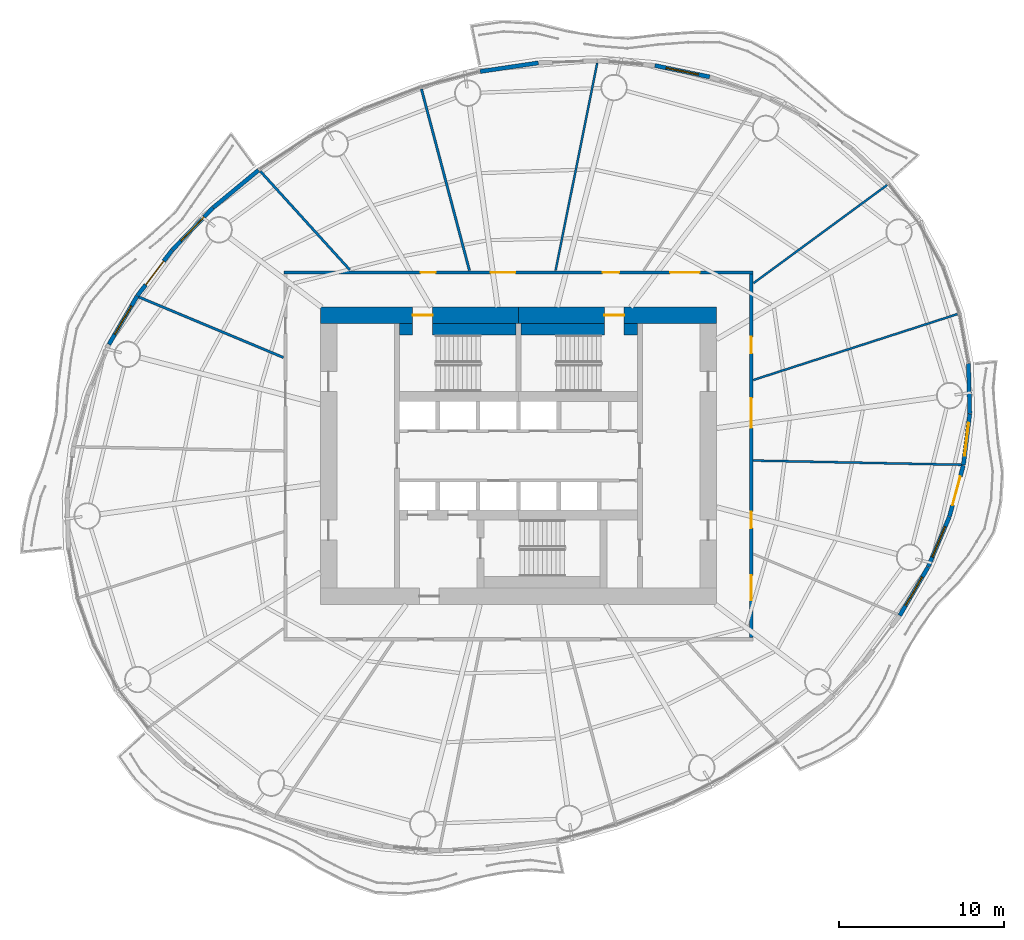
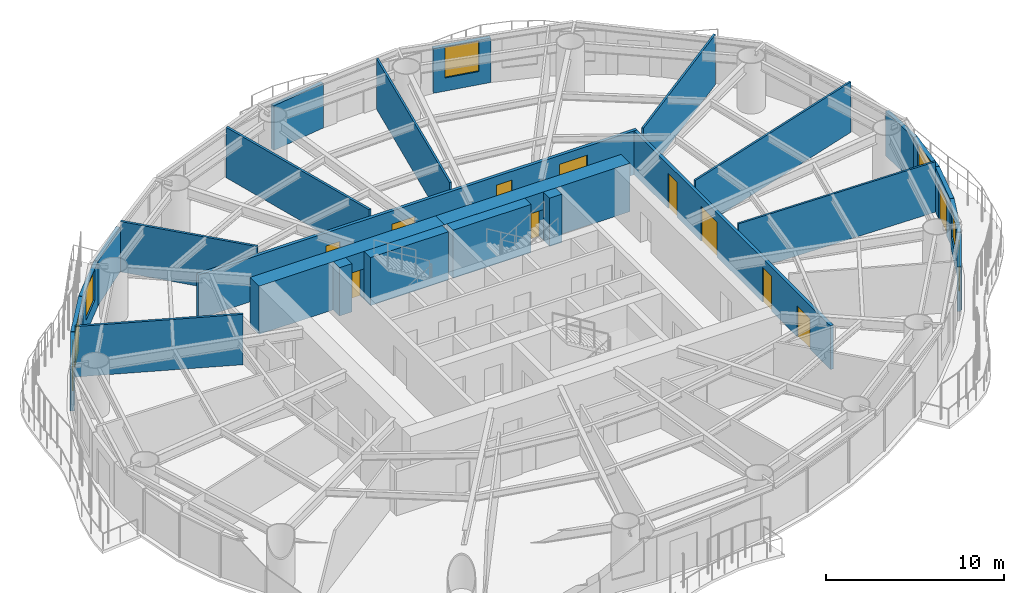
# One storey, part 9 of 15: 26 walls, 12 doors, 6 windows, 18 openings.
"""IFC4 building model written with IfcOpenShell, lengths in metres."""

from ifc_helpers import new_model, si_unit, direction, frame, frame_2d, origin, place, context, subcontext, project, spatial, rectangle, extrude, material, layer, layer_set, type_object, element, fill, save


model = new_model("IFC4")

# Units and contexts
model_context = context("Model", 3, precision=1e-05, world=origin(), true_north=direction((0.0, 1.0)))
body_context = subcontext(model_context, "Body", "Model", "MODEL_VIEW")
ifc_project = project(units=[si_unit("LENGTHUNIT", "METRE"), si_unit("AREAUNIT", "SQUARE_METRE"), si_unit("VOLUMEUNIT", "CUBIC_METRE"), si_unit("PLANEANGLEUNIT", "RADIAN"), si_unit("MASSUNIT", "GRAM", prefix="KILO")], contexts=[model_context])

# Site, building, storey
site_placement = place(None, origin())
site = spatial("IfcSite", under=ifc_project, at=site_placement, CompositionType="ELEMENT")
building_placement = place(site_placement, origin())
building = spatial("IfcBuilding", under=site, at=building_placement, Name="Vermilion Reach Broadcast Tower", CompositionType="ELEMENT")
storey_placement = place(building_placement, frame((0.0, 0.0, 128.199951171875)))
storey = spatial("IfcBuildingStorey", under=building, at=storey_placement, Name="L30", CompositionType="ELEMENT", Elevation=128.199951171875)

# Wall, opening, door
ifc_material_1 = material(Name="Concrete C70", Category="concrete")
ifc_layer_1 = layer(ifc_material_1, 1.0)
ifc_layer_set_1 = layer_set([ifc_layer_1], Name="Core outer wall 1000 mm Concrete C70")
wall_type_1 = type_object("IfcWallType", Name="Core outer wall 1000 mm Concrete C70", PredefinedType="SHEAR", material=ifc_layer_set_1)
wall_1_placement = place(storey_placement, frame((6.0, 8.5, 0.0), z_axis=(0.0, 0.0, 1.0), x_axis=(-1.0, 0.0, 0.0)))
wall_1 = element("IfcWall", 1, at=wall_1_placement, inside=storey, type_object=wall_type_1, Name="L30 core wall onE", PredefinedType="SHEAR", context=body_context, shape_type="SweptSolid", body=[
    extrude(rectangle(XDim=12.0, YDim=1.0, at=frame_2d((6.0, 0.0))), origin(), (0.0, 0.0, 1.0), 3.300048828125),
])
opening_1_placement = place(wall_1_placement, frame((5.60009765625, 0.0, 0.0)))
opening_1 = element("IfcOpeningElement", 2, at=opening_1_placement, cuts=wall_1, Name="Opening D01", PredefinedType="OPENING", context=body_context, shape_type="SweptSolid", body=[
    extrude(rectangle(XDim=1.199951171875, YDim=2.10009765625, at=frame_2d((0.60009765625, 1.050048828125))), frame((0.0, 0.510009765625, 0.0), z_axis=(0.0, -1.0, 0.0), x_axis=(1.0, 0.0, 0.0)), (0.0, 0.0, 1.0), 1.02001953125),
])
ifc_material_2 = material(Name="Painted steel fire door", Category="steel")
door_type_1 = type_object("IfcDoorType", Name="Stair door 1200 x 2100", OperationType="DOUBLE_DOOR_SINGLE_SWING", PredefinedType="NOTDEFINED", material=ifc_material_2)
door_1_placement = place(opening_1_placement, origin())
door_1 = element("IfcDoor", 3, at=door_1_placement, inside=storey, type_object=door_type_1, Name="L30 stair door ST2", OperationType="DOUBLE_DOOR_SINGLE_SWING", OverallHeight=2.10009765625, OverallWidth=1.199951171875, PredefinedType="NOTDEFINED", context=body_context, shape_type="SweptSolid", body=[
    extrude(rectangle(XDim=1.199951171875, YDim=2.10009765625, at=frame_2d((0.60009765625, 1.050048828125))), frame((0.0, 0.02490234375, 0.0), z_axis=(0.0, -1.0, 0.0), x_axis=(1.0, 0.0, 0.0)), (0.0, 0.0, 1.0), 0.050048828125),
])
fill(opening_1, door_1)

wall_2_placement = place(storey_placement, frame((-6.0, 8.5, 0.0), z_axis=(0.0, 0.0, 1.0), x_axis=(-1.0, 0.0, 0.0)))
wall_2 = element("IfcWall", 4, at=wall_2_placement, inside=storey, type_object=wall_type_1, Name="L30 core wall onW", PredefinedType="SHEAR", context=body_context, shape_type="SweptSolid", body=[
    extrude(rectangle(XDim=12.0, YDim=1.0, at=frame_2d((6.0, 0.0))), origin(), (0.0, 0.0, 1.0), 3.300048828125),
])
opening_2_placement = place(wall_2_placement, frame((5.199951171875, 0.0, 0.0)))
opening_2 = element("IfcOpeningElement", 5, at=opening_2_placement, cuts=wall_2, Name="Opening D01", PredefinedType="OPENING", context=body_context, shape_type="SweptSolid", body=[
    extrude(rectangle(XDim=1.199951171875, YDim=2.10009765625, at=frame_2d((0.60009765625, 1.050048828125))), frame((0.0, 0.510009765625, 0.0), z_axis=(0.0, -1.0, 0.0), x_axis=(1.0, 0.0, 0.0)), (0.0, 0.0, 1.0), 1.02001953125),
])
door_2_placement = place(opening_2_placement, origin())
door_2 = element("IfcDoor", 6, at=door_2_placement, inside=storey, type_object=door_type_1, Name="L30 stair door ST1", OperationType="DOUBLE_DOOR_SINGLE_SWING", OverallHeight=2.10009765625, OverallWidth=1.199951171875, PredefinedType="NOTDEFINED", context=body_context, shape_type="SweptSolid", body=[
    extrude(rectangle(XDim=1.199951171875, YDim=2.10009765625, at=frame_2d((0.60009765625, 1.050048828125))), frame((0.0, 0.02490234375, 0.0), z_axis=(0.0, -1.0, 0.0), x_axis=(1.0, 0.0, 0.0)), (0.0, 0.0, 1.0), 0.050048828125),
])
fill(opening_2, door_2)

# Walls
ifc_material_3 = material(Name="Concrete C70", Category="concrete")
ifc_layer_2 = layer(ifc_material_3, 0.699951171875)
ifc_layer_set_2 = layer_set([ifc_layer_2], Name="Core stair wall 700 mm Concrete C70")
wall_type_2 = type_object("IfcWallType", Name="Core stair wall 700 mm Concrete C70", PredefinedType="SHEAR", material=ifc_layer_set_2)
wall_3_placement = place(storey_placement, frame((-13.199951171875, 7.64990234375, 0.0), z_axis=(0.0, 0.0, 1.0), x_axis=(1.0, 0.0, 0.0)))
element("IfcWall", 7, at=wall_3_placement, inside=storey, type_object=wall_type_2, Name="L30 core wall l1a", PredefinedType="SHEAR", context=body_context, shape_type="SweptSolid", body=[
    extrude(rectangle(XDim=0.800048828125, YDim=0.699951171875, at=frame_2d((0.39990234375, 0.0))), origin(), (0.0, 0.0, 1.0), 3.300048828125),
])
for number, where, z_axis, x_axis, name in (
    (8, (-11.199951171875, 7.64990234375, 0.0), (0.0, 0.0, 1.0), (1.0, 0.0, 0.0), "L30 core wall l1b"),
    (9, (-5.85009765625, 7.64990234375, 0.0), (0.0, 0.0, 1.0), (1.0, 0.0, 0.0), "L30 core wall l2a"),
):
    element("IfcWall", number, at=place(storey_placement, frame(where, z_axis=z_axis, x_axis=x_axis)), inside=storey, type_object=wall_type_2, Name=name, PredefinedType="SHEAR", context=body_context, shape_type="SweptSolid", body=[
        extrude(rectangle(XDim=5.050048828125, YDim=0.699951171875, at=frame_2d((2.52490234375, 0.0))), origin(), (0.0, 0.0, 1.0), 3.300048828125),
    ])
wall_4_placement = place(storey_placement, frame((0.39990234375, 7.64990234375, 0.0), z_axis=(0.0, 0.0, 1.0), x_axis=(1.0, 0.0, 0.0)))
element("IfcWall", 10, at=wall_4_placement, inside=storey, type_object=wall_type_2, Name="L30 core wall l2b", PredefinedType="SHEAR", context=body_context, shape_type="SweptSolid", body=[
    extrude(rectangle(XDim=0.800048828125, YDim=0.699951171875, at=frame_2d((0.39990234375, 0.0))), origin(), (0.0, 0.0, 1.0), 3.300048828125),
])
ifc_material_4 = material(Name="Fire-rated plasterboard on steel stud", Category="steel")
ifc_layer_3 = layer(ifc_material_4, 0.125)
ifc_layer_set_3 = layer_set([ifc_layer_3], Name="Partition 125 fire-rated stud")
wall_type_3 = type_object("IfcWallType", Name="Partition 125 fire-rated stud", PredefinedType="PARTITIONING", material=ifc_layer_set_3)
wall_5_placement = place(storey_placement, frame((16.321044921875, 16.394287109375, 0.0), z_axis=(0.0, 0.0, 1.0), x_axis=(-0.805953622815, -0.591978680251, 0.0)))
element("IfcWall", 11, at=wall_5_placement, inside=storey, type_object=wall_type_3, Name="Partition 30.01", PredefinedType="PARTITIONING", context=body_context, shape_type="SweptSolid", body=[
    extrude(rectangle(XDim=10.0302734375, YDim=0.125, at=frame_2d((5.01513671875, 0.0))), origin(), (0.0, 0.0, 1.0), 3.449951171875),
])
wall_6_placement = place(storey_placement, frame((-1.2294921875, 23.7900390625, 0.0), z_axis=(0.0, 0.0, 1.0), x_axis=(-0.196617524225, -0.980480264548, 0.0)))
element("IfcWall", 12, at=wall_6_placement, inside=storey, type_object=wall_type_3, Name="Partition 30.03", PredefinedType="PARTITIONING", context=body_context, shape_type="SweptSolid", body=[
    extrude(rectangle(XDim=12.828125, YDim=0.125, at=frame_2d((6.4140625, 0.0))), origin(), (0.0, 0.0, 1.0), 3.449951171875),
])
wall_7_placement = place(storey_placement, frame((20.8154296875, -0.544677734375, 0.0), z_axis=(0.0, 0.0, 1.0), x_axis=(-0.999793963842, 0.020298518775, 0.0)))
element("IfcWall", 13, at=wall_7_placement, inside=storey, type_object=wall_type_3, Name="Partition 30.15", PredefinedType="PARTITIONING", context=body_context, shape_type="SweptSolid", body=[
    extrude(rectangle(XDim=12.616943359375, YDim=0.125, at=frame_2d((6.30859375, 0.0))), origin(), (0.0, 0.0, 1.0), 3.449951171875),
])
wall_8_placement = place(storey_placement, frame((20.578125, 8.578369140625, 0.0), z_axis=(0.0, 0.0, 1.0), x_axis=(-0.951657398176, -0.307161515325, 0.0)))
element("IfcWall", 14, at=wall_8_placement, inside=storey, type_object=wall_type_3, Name="Partition 30.16", PredefinedType="PARTITIONING", context=body_context, shape_type="SweptSolid", body=[
    extrude(rectangle(XDim=12.98681640625, YDim=0.125, at=frame_2d((6.493408203125, 0.0))), origin(), (0.0, 0.0, 1.0), 3.449951171875),
])
ifc_material_5 = material(Name="Lightweight concrete block, plastered", Category="concrete")
ifc_layer_4 = layer(ifc_material_5, 0.14990234375)
ifc_layer_set_4 = layer_set([ifc_layer_4], Name="Partition 150 lightweight block")
wall_type_4 = type_object("IfcWallType", Name="Partition 150 lightweight block", PredefinedType="PARTITIONING", material=ifc_layer_set_4)
wall_9_placement = place(storey_placement, frame((-11.874755859375, 22.207275390625, 0.0), z_axis=(0.0, 0.0, 1.0), x_axis=(0.255739645258, -0.966745692436, 0.0)))
element("IfcWall", 15, at=wall_9_placement, inside=storey, type_object=wall_type_4, Name="Partition 30.04", PredefinedType="PARTITIONING", context=body_context, shape_type="SweptSolid", body=[
    extrude(rectangle(XDim=11.365966796875, YDim=0.14990234375, at=frame_2d((5.68310546875, 0.0))), origin(), (0.0, 0.0, 1.0), 3.449951171875),
])
wall_10_placement = place(storey_placement, frame((-21.6240234375, 17.223876953125, 0.0), z_axis=(0.0, 0.0, 1.0), x_axis=(0.671881371933, -0.740658775719, 0.0)))
element("IfcWall", 16, at=wall_10_placement, inside=storey, type_object=wall_type_4, Name="Partition 30.05", PredefinedType="PARTITIONING", context=body_context, shape_type="SweptSolid", body=[
    extrude(rectangle(XDim=8.06494140625, YDim=0.14990234375, at=frame_2d((4.032470703125, 0.0))), origin(), (0.0, 0.0, 1.0), 3.449951171875),
])
wall_11_placement = place(storey_placement, frame((-28.977294921875, 9.609375, 0.0), z_axis=(0.0, 0.0, 1.0), x_axis=(0.922568046732, -0.385834419343, 0.0)))
element("IfcWall", 17, at=wall_11_placement, inside=storey, type_object=wall_type_4, Name="Partition 30.06", PredefinedType="PARTITIONING", context=body_context, shape_type="SweptSolid", body=[
    extrude(rectangle(XDim=9.482421875, YDim=0.14990234375, at=frame_2d((4.7412109375, 0.0))), origin(), (0.0, 0.0, 1.0), 3.449951171875),
])

# Wall, opening, window
ifc_material_6 = material(Name="Terracotta rainscreen cladding", Category="masonry")
ifc_layer_5 = layer(ifc_material_6, 0.25)
ifc_layer_set_5 = layer_set([ifc_layer_5], Name="Terracotta rainscreen wall 250")
wall_type_5 = type_object("IfcWallType", Name="Terracotta rainscreen wall 250", PredefinedType="SOLIDWALL", material=ifc_layer_set_5)
wall_12_placement = place(storey_placement, frame((5.574462890625, 22.940673828125, 0.0), z_axis=(0.0, 0.0, 1.0), x_axis=(-0.979211003926, 0.202844299376, 0.0)))
wall_12 = element("IfcWall", 18, at=wall_12_placement, inside=storey, type_object=wall_type_5, Name="External wall L30 06", PredefinedType="SOLIDWALL", context=body_context, shape_type="SweptSolid", body=[
    extrude(rectangle(XDim=3.382080078125, YDim=0.25, at=frame_2d((1.69091796875, 0.0))), origin(), (0.0, 0.0, 1.0), 3.050048828125),
])
opening_3_placement = place(wall_12_placement, frame((0.691162109375, 0.0, 0.89990234375)))
opening_3 = element("IfcOpeningElement", 19, at=opening_3_placement, cuts=wall_12, Name="Opening W03", PredefinedType="OPENING", context=body_context, shape_type="SweptSolid", body=[
    extrude(rectangle(XDim=2.0, YDim=2.10009765625, at=frame_2d((1.0, 1.050048828125))), frame((0.0, 0.135009765625, 0.0), z_axis=(0.0, -1.0, 0.0), x_axis=(1.0, 0.0, 0.0)), (0.0, 0.0, 1.0), 0.27001953125),
])
ifc_material_7 = material(Name="Low-e laminated clear glass in aluminium frame", Category="aluminium")
window_type = type_object("IfcWindowType", Name="Punched window 2000 x 2100 sill 900", PartitioningType="SINGLE_PANEL", PredefinedType="WINDOW", material=ifc_material_7)
window_1_placement = place(opening_3_placement, origin())
window_1 = element("IfcWindow", 20, at=window_1_placement, inside=storey, type_object=window_type, Name="Window L30 06", OverallHeight=2.10009765625, OverallWidth=2.0, PartitioningType="SINGLE_PANEL", PredefinedType="WINDOW", context=body_context, shape_type="SweptSolid", body=[
    extrude(rectangle(XDim=2.0, YDim=2.10009765625, at=frame_2d((1.0, 1.050048828125))), frame((0.0, 0.030029296875, 0.0), z_axis=(0.0, -1.0, 0.0), x_axis=(1.0, 0.0, 0.0)), (0.0, 0.0, 1.0), 0.06005859375),
])
fill(opening_3, window_1)

# Walls
for number, where, z_axis, x_axis, name in (
    (21, (-4.798583984375, 23.789306640625, 0.0), (0.0, 0.0, 1.0), (-0.989128877897, -0.147051225462, 0.0), "External wall L30 09"),
    (22, (-21.740478515625, 17.28955078125, 0.0), (0.0, 0.0, 1.0), (-0.771117086356, -0.636693363503, 0.0), "External wall L30 14"),
):
    element("IfcWall", number, at=place(storey_placement, frame(where, z_axis=z_axis, x_axis=x_axis)), inside=storey, type_object=wall_type_5, Name=name, PredefinedType="SOLIDWALL", context=body_context, shape_type="SweptSolid", body=[
        extrude(rectangle(XDim=3.55615234375, YDim=0.25, at=frame_2d((1.778076171875, 0.0))), origin(), (0.0, 0.0, 1.0), 3.050048828125),
    ])

# Wall, opening, window
wall_13_placement = place(storey_placement, frame((-24.4990234375, 15.010498046875, 0.0), z_axis=(0.0, 0.0, 1.0), x_axis=(-0.69458713087, -0.719408588793, 0.0)))
wall_13 = element("IfcWall", 23, at=wall_13_placement, inside=storey, type_object=wall_type_5, Name="External wall L30 15", PredefinedType="SOLIDWALL", context=body_context, shape_type="SweptSolid", body=[
    extrude(rectangle(XDim=3.541015625, YDim=0.25, at=frame_2d((1.7705078125, 0.0))), origin(), (0.0, 0.0, 1.0), 3.050048828125),
])
opening_4_placement = place(wall_13_placement, frame((0.7705078125, 0.0, 0.89990234375)))
opening_4 = element("IfcOpeningElement", 24, at=opening_4_placement, cuts=wall_13, Name="Opening W03", PredefinedType="OPENING", context=body_context, shape_type="SweptSolid", body=[
    extrude(rectangle(XDim=2.0, YDim=2.10009765625, at=frame_2d((1.0, 1.050048828125))), frame((0.0, 0.135009765625, 0.0), z_axis=(0.0, -1.0, 0.0), x_axis=(1.0, 0.0, 0.0)), (0.0, 0.0, 1.0), 0.27001953125),
])
window_2_placement = place(opening_4_placement, origin())
window_2 = element("IfcWindow", 25, at=window_2_placement, inside=storey, type_object=window_type, Name="Window L30 15", OverallHeight=2.10009765625, OverallWidth=2.0, PartitioningType="SINGLE_PANEL", PredefinedType="WINDOW", context=body_context, shape_type="SweptSolid", body=[
    extrude(rectangle(XDim=2.0, YDim=2.10009765625, at=frame_2d((1.0, 1.050048828125))), frame((0.0, 0.030029296875, 0.0), z_axis=(0.0, -1.0, 0.0), x_axis=(1.0, 0.0, 0.0)), (0.0, 0.0, 1.0), 0.06005859375),
])
fill(opening_4, window_2)

# Wall, opening, door
wall_14_placement = place(storey_placement, frame((-26.97314453125, 12.446044921875, 0.0), z_axis=(0.0, 0.0, 1.0), x_axis=(-0.605977439261, -0.795481830784, 0.0)))
wall_14 = element("IfcWall", 26, at=wall_14_placement, inside=storey, type_object=wall_type_5, Name="External wall L30 16", PredefinedType="SOLIDWALL", context=body_context, shape_type="SweptSolid", body=[
    extrude(rectangle(XDim=3.466796875, YDim=0.25, at=frame_2d((1.7333984375, 0.0))), origin(), (0.0, 0.0, 1.0), 3.050048828125),
])
opening_5_placement = place(wall_14_placement, frame((0.8330078125, 0.0, 0.0)))
opening_5 = element("IfcOpeningElement", 27, at=opening_5_placement, cuts=wall_14, Name="Opening D70", PredefinedType="OPENING", context=body_context, shape_type="SweptSolid", body=[
    extrude(rectangle(XDim=1.800048828125, YDim=2.39990234375, at=frame_2d((0.89990234375, 1.199951171875))), frame((0.0, 0.135009765625, 0.0), z_axis=(0.0, -1.0, 0.0), x_axis=(1.0, 0.0, 0.0)), (0.0, 0.0, 1.0), 0.27001953125),
])
ifc_material_8 = material(Name="Low-e laminated clear glass in aluminium frame", Category="aluminium")
door_type_2 = type_object("IfcDoorType", Name="Balcony sliding door 1800 x 2400", OperationType="DOUBLE_DOOR_SLIDING", PredefinedType="DOOR", material=ifc_material_8)
door_3_placement = place(opening_5_placement, origin())
door_3 = element("IfcDoor", 28, at=door_3_placement, inside=storey, type_object=door_type_2, Name="Balcony door L30 run 04", OperationType="DOUBLE_DOOR_SLIDING", OverallHeight=2.39990234375, OverallWidth=1.800048828125, PredefinedType="DOOR", context=body_context, shape_type="SweptSolid", body=[
    extrude(rectangle(XDim=1.800048828125, YDim=2.39990234375, at=frame_2d((0.89990234375, 1.199951171875))), frame((0.0, 0.02490234375, 0.0), z_axis=(0.0, -1.0, 0.0), x_axis=(1.0, 0.0, 0.0)), (0.0, 0.0, 1.0), 0.050048828125),
])
fill(opening_5, door_3)

# Wall, opening, window
wall_15_placement = place(storey_placement, frame((-29.0869140625, 9.6689453125, 0.0), z_axis=(0.0, 0.0, 1.0), x_axis=(-0.504503728062, -0.863409513714, 0.0)))
wall_15 = element("IfcWall", 29, at=wall_15_placement, inside=storey, type_object=wall_type_5, Name="External wall L30 17", PredefinedType="SOLIDWALL", context=body_context, shape_type="SweptSolid", body=[
    extrude(rectangle(XDim=3.382080078125, YDim=0.25, at=frame_2d((1.69091796875, 0.0))), origin(), (0.0, 0.0, 1.0), 3.050048828125),
])
opening_6_placement = place(wall_15_placement, frame((0.691162109375, 0.0, 0.89990234375)))
opening_6 = element("IfcOpeningElement", 30, at=opening_6_placement, cuts=wall_15, Name="Opening W03", PredefinedType="OPENING", context=body_context, shape_type="SweptSolid", body=[
    extrude(rectangle(XDim=2.0, YDim=2.10009765625, at=frame_2d((1.0, 1.050048828125))), frame((0.0, 0.135009765625, 0.0), z_axis=(0.0, -1.0, 0.0), x_axis=(1.0, 0.0, 0.0)), (0.0, 0.0, 1.0), 0.27001953125),
])
window_3_placement = place(opening_6_placement, origin())
window_3 = element("IfcWindow", 31, at=window_3_placement, inside=storey, type_object=window_type, Name="Window L30 17", OverallHeight=2.10009765625, OverallWidth=2.0, PartitioningType="SINGLE_PANEL", PredefinedType="WINDOW", context=body_context, shape_type="SweptSolid", body=[
    extrude(rectangle(XDim=2.0, YDim=2.10009765625, at=frame_2d((1.0, 1.050048828125))), frame((0.0, 0.030029296875, 0.0), z_axis=(0.0, -1.0, 0.0), x_axis=(1.0, 0.0, 0.0)), (0.0, 0.0, 1.0), 0.06005859375),
])
fill(opening_6, window_3)

wall_16_placement = place(storey_placement, frame((17.0869140625, -9.6689453125, 0.0), z_axis=(0.0, 0.0, 1.0), x_axis=(0.504503728062, 0.863409513714, 0.0)))
wall_16 = element("IfcWall", 32, at=wall_16_placement, inside=storey, type_object=wall_type_5, Name="External wall L30 41", PredefinedType="SOLIDWALL", context=body_context, shape_type="SweptSolid", body=[
    extrude(rectangle(XDim=3.382080078125, YDim=0.25, at=frame_2d((1.69091796875, 0.0))), origin(), (0.0, 0.0, 1.0), 3.050048828125),
])
opening_7_placement = place(wall_16_placement, frame((0.691162109375, 0.0, 0.89990234375)))
opening_7 = element("IfcOpeningElement", 33, at=opening_7_placement, cuts=wall_16, Name="Opening W03", PredefinedType="OPENING", context=body_context, shape_type="SweptSolid", body=[
    extrude(rectangle(XDim=2.0, YDim=2.10009765625, at=frame_2d((1.0, 1.050048828125))), frame((0.0, 0.135009765625, 0.0), z_axis=(0.0, -1.0, 0.0), x_axis=(1.0, 0.0, 0.0)), (0.0, 0.0, 1.0), 0.27001953125),
])
window_4_placement = place(opening_7_placement, origin())
window_4 = element("IfcWindow", 34, at=window_4_placement, inside=storey, type_object=window_type, Name="Window L30 41", OverallHeight=2.10009765625, OverallWidth=2.0, PartitioningType="SINGLE_PANEL", PredefinedType="WINDOW", context=body_context, shape_type="SweptSolid", body=[
    extrude(rectangle(XDim=2.0, YDim=2.10009765625, at=frame_2d((1.0, 1.050048828125))), frame((0.0, 0.030029296875, 0.0), z_axis=(0.0, -1.0, 0.0), x_axis=(1.0, 0.0, 0.0)), (0.0, 0.0, 1.0), 0.06005859375),
])
fill(opening_7, window_4)

wall_17_placement = place(storey_placement, frame((18.803955078125, -6.727294921875, 0.0), z_axis=(0.0, 0.0, 1.0), x_axis=(0.389780302429, 0.920907875869, 0.0)))
wall_17 = element("IfcWall", 35, at=wall_17_placement, inside=storey, type_object=wall_type_5, Name="External wall L30 42", PredefinedType="SOLIDWALL", context=body_context, shape_type="SweptSolid", body=[
    extrude(rectangle(XDim=3.292236328125, YDim=0.25, at=frame_2d((1.64599609375, 0.0))), origin(), (0.0, 0.0, 1.0), 3.050048828125),
])
opening_8_placement = place(wall_17_placement, frame((0.64599609375, 0.0, 0.89990234375)))
opening_8 = element("IfcOpeningElement", 36, at=opening_8_placement, cuts=wall_17, Name="Opening W03", PredefinedType="OPENING", context=body_context, shape_type="SweptSolid", body=[
    extrude(rectangle(XDim=2.0, YDim=2.10009765625, at=frame_2d((1.0, 1.050048828125))), frame((0.0, 0.135009765625, 0.0), z_axis=(0.0, -1.0, 0.0), x_axis=(1.0, 0.0, 0.0)), (0.0, 0.0, 1.0), 0.27001953125),
])
window_5_placement = place(opening_8_placement, origin())
window_5 = element("IfcWindow", 37, at=window_5_placement, inside=storey, type_object=window_type, Name="Window L30 42", OverallHeight=2.10009765625, OverallWidth=2.0, PartitioningType="SINGLE_PANEL", PredefinedType="WINDOW", context=body_context, shape_type="SweptSolid", body=[
    extrude(rectangle(XDim=2.0, YDim=2.10009765625, at=frame_2d((1.0, 1.050048828125))), frame((0.0, 0.030029296875, 0.0), z_axis=(0.0, -1.0, 0.0), x_axis=(1.0, 0.0, 0.0)), (0.0, 0.0, 1.0), 0.06005859375),
])
fill(opening_8, window_5)

# Wall, opening, door
wall_18_placement = place(storey_placement, frame((20.095458984375, -3.672119140625, 0.0), z_axis=(0.0, 0.0, 1.0), x_axis=(0.262091620012, 0.96504299527, 0.0)))
wall_18 = element("IfcWall", 38, at=wall_18_placement, inside=storey, type_object=wall_type_5, Name="External wall L30 43", PredefinedType="SOLIDWALL", context=body_context, shape_type="SweptSolid", body=[
    extrude(rectangle(XDim=3.20263671875, YDim=0.25, at=frame_2d((1.601318359375, 0.0))), origin(), (0.0, 0.0, 1.0), 3.050048828125),
])
opening_9_placement = place(wall_18_placement, frame((0.700927734375, 0.0, 0.0)))
opening_9 = element("IfcOpeningElement", 39, at=opening_9_placement, cuts=wall_18, Name="Opening D70", PredefinedType="OPENING", context=body_context, shape_type="SweptSolid", body=[
    extrude(rectangle(XDim=1.800048828125, YDim=2.39990234375, at=frame_2d((0.89990234375, 1.199951171875))), frame((0.0, 0.135009765625, 0.0), z_axis=(0.0, -1.0, 0.0), x_axis=(1.0, 0.0, 0.0)), (0.0, 0.0, 1.0), 0.27001953125),
])
door_4_placement = place(opening_9_placement, origin())
door_4 = element("IfcDoor", 40, at=door_4_placement, inside=storey, type_object=door_type_2, Name="Balcony door L30 run 11", OperationType="DOUBLE_DOOR_SLIDING", OverallHeight=2.39990234375, OverallWidth=1.800048828125, PredefinedType="DOOR", context=body_context, shape_type="SweptSolid", body=[
    extrude(rectangle(XDim=1.800048828125, YDim=2.39990234375, at=frame_2d((0.89990234375, 1.199951171875))), frame((0.0, 0.02490234375, 0.0), z_axis=(0.0, -1.0, 0.0), x_axis=(1.0, 0.0, 0.0)), (0.0, 0.0, 1.0), 0.050048828125),
])
fill(opening_9, door_4)

# Wall, opening, window
wall_19_placement = place(storey_placement, frame((20.939697265625, -0.55615234375, 0.0), z_axis=(0.0, 0.0, 1.0), x_axis=(0.122609350435, 0.992455010157, 0.0)))
wall_19 = element("IfcWall", 41, at=wall_19_placement, inside=storey, type_object=wall_type_5, Name="External wall L30 44", PredefinedType="SOLIDWALL", context=body_context, shape_type="SweptSolid", body=[
    extrude(rectangle(XDim=3.1201171875, YDim=0.25, at=frame_2d((1.56005859375, 0.0))), origin(), (0.0, 0.0, 1.0), 3.050048828125),
])
opening_10_placement = place(wall_19_placement, frame((0.56005859375, 0.0, 0.89990234375)))
opening_10 = element("IfcOpeningElement", 42, at=opening_10_placement, cuts=wall_19, Name="Opening W03", PredefinedType="OPENING", context=body_context, shape_type="SweptSolid", body=[
    extrude(rectangle(XDim=2.0, YDim=2.10009765625, at=frame_2d((1.0, 1.050048828125))), frame((0.0, 0.135009765625, 0.0), z_axis=(0.0, -1.0, 0.0), x_axis=(1.0, 0.0, 0.0)), (0.0, 0.0, 1.0), 0.27001953125),
])
window_6_placement = place(opening_10_placement, origin())
window_6 = element("IfcWindow", 43, at=window_6_placement, inside=storey, type_object=window_type, Name="Window L30 44", OverallHeight=2.10009765625, OverallWidth=2.0, PartitioningType="SINGLE_PANEL", PredefinedType="WINDOW", context=body_context, shape_type="SweptSolid", body=[
    extrude(rectangle(XDim=2.0, YDim=2.10009765625, at=frame_2d((1.0, 1.050048828125))), frame((0.0, 0.030029296875, 0.0), z_axis=(0.0, -1.0, 0.0), x_axis=(1.0, 0.0, 0.0)), (0.0, 0.0, 1.0), 0.06005859375),
])
fill(opening_10, window_6)

# Wall
wall_20_placement = place(storey_placement, frame((21.323486328125, 2.567138671875, 0.0), z_axis=(0.0, 0.0, 1.0), x_axis=(-0.026118966812, 0.999658841592, 0.0)))
element("IfcWall", 44, at=wall_20_placement, inside=storey, type_object=wall_type_5, Name="External wall L30 45", PredefinedType="SOLIDWALL", context=body_context, shape_type="SweptSolid", body=[
    extrude(rectangle(XDim=3.009765625, YDim=0.25, at=frame_2d((1.5048828125, 0.0))), origin(), (0.0, 0.0, 1.0), 3.050048828125),
])

# Wall, openings, doors
ifc_material_9 = material(Name="Fire-rated gypsum board partition")
ifc_layer_6 = layer(ifc_material_9, 0.199951171875)
ifc_layer_set_6 = layer_set([ifc_layer_6], Name="Under girder: Corridor wall 200 fire-rated")
wall_type_6 = type_object("IfcWallType", Name="Under girder: Corridor wall 200 fire-rated", PredefinedType="PARTITIONING", material=ifc_layer_set_6)
wall_21_placement = place(storey_placement, frame((-20.199951171875, 11.10009765625, 0.0), z_axis=(0.0, 0.0, 1.0), x_axis=(1.0, 0.0, 0.0)))
wall_21 = element("IfcWall", 45, at=wall_21_placement, inside=storey, type_object=wall_type_6, Name="Corridor wall 30.N", PredefinedType="PARTITIONING", context=body_context, shape_type="SweptSolid", body=[
    extrude(rectangle(XDim=28.39990234375, YDim=0.199951171875, at=frame_2d((14.199951171875, 0.0))), origin(), (0.0, 0.0, 1.0), 3.0),
])
opening_11_placement = place(wall_21_placement, frame((23.376220703125, 0.0, 0.0)))
opening_11 = element("IfcOpeningElement", 46, at=opening_11_placement, cuts=wall_21, Name="Opening D27", PredefinedType="OPENING", context=body_context, shape_type="SweptSolid", body=[
    extrude(rectangle(XDim=1.800048828125, YDim=2.39990234375, at=frame_2d((0.89990234375, 1.199951171875))), frame((0.0, 0.10986328125, 0.0), z_axis=(0.0, -1.0, 0.0), x_axis=(1.0, 0.0, 0.0)), (0.0, 0.0, 1.0), 0.219970703125),
])
opening_12_placement = place(wall_21_placement, frame((19.300048828125, 0.0, 0.0)))
opening_12 = element("IfcOpeningElement", 47, at=opening_12_placement, cuts=wall_21, Name="Opening D23", PredefinedType="OPENING", context=body_context, shape_type="SweptSolid", body=[
    extrude(rectangle(XDim=1.0, YDim=2.39990234375, at=frame_2d((0.5, 1.199951171875))), frame((0.0, 0.10986328125, 0.0), z_axis=(0.0, -1.0, 0.0), x_axis=(1.0, 0.0, 0.0)), (0.0, 0.0, 1.0), 0.219970703125),
])
opening_13_placement = place(wall_21_placement, frame((12.519775390625, 0.0, 0.0)))
opening_13 = element("IfcOpeningElement", 48, at=opening_13_placement, cuts=wall_21, Name="Opening D24", PredefinedType="OPENING", context=body_context, shape_type="SweptSolid", body=[
    extrude(rectangle(XDim=1.5, YDim=2.10009765625, at=frame_2d((0.75, 1.050048828125))), frame((0.0, 0.10986328125, 0.0), z_axis=(0.0, -1.0, 0.0), x_axis=(1.0, 0.0, 0.0)), (0.0, 0.0, 1.0), 0.219970703125),
])
opening_14_placement = place(wall_21_placement, frame((8.278076171875, 0.0, 0.0)))
opening_14 = element("IfcOpeningElement", 49, at=opening_14_placement, cuts=wall_21, Name="Opening D22", PredefinedType="OPENING", context=body_context, shape_type="SweptSolid", body=[
    extrude(rectangle(XDim=0.89990234375, YDim=2.10009765625, at=frame_2d((0.449951171875, 1.050048828125))), frame((0.0, 0.10986328125, 0.0), z_axis=(0.0, -1.0, 0.0), x_axis=(1.0, 0.0, 0.0)), (0.0, 0.0, 1.0), 0.219970703125),
])
ifc_material_10 = material(Name="Timber door leaf", Category="wood")
door_type_3 = type_object("IfcDoorType", Name="Door pair 1500x2100", OperationType="NOTDEFINED", PredefinedType="DOOR", material=ifc_material_10)
door_5_placement = place(opening_13_placement, origin())
door_5 = element("IfcDoor", 50, at=door_5_placement, inside=storey, type_object=door_type_3, Name="Door 30.03", OperationType="DOUBLE_DOOR_SINGLE_SWING", OverallHeight=2.10009765625, OverallWidth=1.5, PredefinedType="DOOR", context=body_context, shape_type="SweptSolid", body=[
    extrude(rectangle(XDim=1.5, YDim=2.10009765625, at=frame_2d((0.75, 1.050048828125))), frame((0.0, 0.02490234375, 0.0), z_axis=(0.0, -1.0, 0.0), x_axis=(1.0, 0.0, 0.0)), (0.0, 0.0, 1.0), 0.050048828125),
])
fill(opening_13, door_5)
ifc_material_11 = material(Name="Acoustic timber door leaf", Category="wood")
door_type_4 = type_object("IfcDoorType", Name="Door pair 1800x2400", OperationType="NOTDEFINED", PredefinedType="DOOR", material=ifc_material_11)
door_6_placement = place(opening_11_placement, origin())
door_6 = element("IfcDoor", 51, at=door_6_placement, inside=storey, type_object=door_type_4, Name="Door 30.01", OperationType="DOUBLE_DOOR_SINGLE_SWING", OverallHeight=2.39990234375, OverallWidth=1.800048828125, PredefinedType="DOOR", context=body_context, shape_type="SweptSolid", body=[
    extrude(rectangle(XDim=1.800048828125, YDim=2.39990234375, at=frame_2d((0.89990234375, 1.199951171875))), frame((0.0, 0.02490234375, 0.0), z_axis=(0.0, -1.0, 0.0), x_axis=(1.0, 0.0, 0.0)), (0.0, 0.0, 1.0), 0.050048828125),
])
fill(opening_11, door_6)
ifc_material_12 = material(Name="Veneered timber door leaf", Category="wood")
door_type_5 = type_object("IfcDoorType", Name="Door single 1000x2400", OperationType="NOTDEFINED", PredefinedType="DOOR", material=ifc_material_12)
door_7_placement = place(opening_12_placement, origin())
door_7 = element("IfcDoor", 52, at=door_7_placement, inside=storey, type_object=door_type_5, Name="Door 30.02", OperationType="SINGLE_SWING_RIGHT", OverallHeight=2.39990234375, OverallWidth=1.0, PredefinedType="DOOR", context=body_context, shape_type="SweptSolid", body=[
    extrude(rectangle(XDim=1.0, YDim=2.39990234375, at=frame_2d((0.5, 1.199951171875))), frame((0.0, 0.02490234375, 0.0), z_axis=(0.0, -1.0, 0.0), x_axis=(1.0, 0.0, 0.0)), (0.0, 0.0, 1.0), 0.050048828125),
])
fill(opening_12, door_7)
ifc_material_13 = material(Name="Timber door leaf", Category="wood")
door_type_6 = type_object("IfcDoorType", Name="Door single 900x2100", OperationType="NOTDEFINED", PredefinedType="DOOR", material=ifc_material_13)
door_8_placement = place(opening_14_placement, origin())
door_8 = element("IfcDoor", 53, at=door_8_placement, inside=storey, type_object=door_type_6, Name="Door 30.04", OperationType="SINGLE_SWING_RIGHT", OverallHeight=2.10009765625, OverallWidth=0.89990234375, PredefinedType="DOOR", context=body_context, shape_type="SweptSolid", body=[
    extrude(rectangle(XDim=0.89990234375, YDim=2.10009765625, at=frame_2d((0.449951171875, 1.050048828125))), frame((0.0, 0.02490234375, 0.0), z_axis=(0.0, -1.0, 0.0), x_axis=(1.0, 0.0, 0.0)), (0.0, 0.0, 1.0), 0.050048828125),
])
fill(opening_14, door_8)

wall_22_placement = place(storey_placement, frame((8.10009765625, 11.0, 0.0), z_axis=(0.0, 0.0, 1.0), x_axis=(0.0, -1.0, 0.0)))
wall_22 = element("IfcWall", 54, at=wall_22_placement, inside=storey, type_object=wall_type_6, Name="Corridor wall 30.E", PredefinedType="PARTITIONING", context=body_context, shape_type="SweptSolid", body=[
    extrude(rectangle(XDim=22.0, YDim=0.199951171875, at=frame_2d((11.0, 0.0))), origin(), (0.0, 0.0, 1.0), 3.0),
])
opening_15_placement = place(wall_22_placement, frame((18.237060546875, 0.0, 0.0)))
opening_15 = element("IfcOpeningElement", 55, at=opening_15_placement, cuts=wall_22, Name="Opening D24", PredefinedType="OPENING", context=body_context, shape_type="SweptSolid", body=[
    extrude(rectangle(XDim=1.5, YDim=2.10009765625, at=frame_2d((0.75, 1.050048828125))), frame((0.0, 0.10986328125, 0.0), z_axis=(0.0, -1.0, 0.0), x_axis=(1.0, 0.0, 0.0)), (0.0, 0.0, 1.0), 0.219970703125),
])
opening_16_placement = place(wall_22_placement, frame((14.378662109375, 0.0, 0.0)))
opening_16 = element("IfcOpeningElement", 56, at=opening_16_placement, cuts=wall_22, Name="Opening D23", PredefinedType="OPENING", context=body_context, shape_type="SweptSolid", body=[
    extrude(rectangle(XDim=1.0, YDim=2.39990234375, at=frame_2d((0.5, 1.199951171875))), frame((0.0, 0.10986328125, 0.0), z_axis=(0.0, -1.0, 0.0), x_axis=(1.0, 0.0, 0.0)), (0.0, 0.0, 1.0), 0.219970703125),
])
opening_17_placement = place(wall_22_placement, frame((7.50341796875, 0.0, 0.0)))
opening_17 = element("IfcOpeningElement", 57, at=opening_17_placement, cuts=wall_22, Name="Opening D27", PredefinedType="OPENING", context=body_context, shape_type="SweptSolid", body=[
    extrude(rectangle(XDim=1.800048828125, YDim=2.39990234375, at=frame_2d((0.89990234375, 1.199951171875))), frame((0.0, 0.10986328125, 0.0), z_axis=(0.0, -1.0, 0.0), x_axis=(1.0, 0.0, 0.0)), (0.0, 0.0, 1.0), 0.219970703125),
])
opening_18_placement = place(wall_22_placement, frame((3.7978515625, 0.0, 0.0)))
opening_18 = element("IfcOpeningElement", 58, at=opening_18_placement, cuts=wall_22, Name="Opening D23", PredefinedType="OPENING", context=body_context, shape_type="SweptSolid", body=[
    extrude(rectangle(XDim=1.0, YDim=2.39990234375, at=frame_2d((0.5, 1.199951171875))), frame((0.0, 0.10986328125, 0.0), z_axis=(0.0, -1.0, 0.0), x_axis=(1.0, 0.0, 0.0)), (0.0, 0.0, 1.0), 0.219970703125),
])
door_9_placement = place(opening_15_placement, origin())
door_9 = element("IfcDoor", 59, at=door_9_placement, inside=storey, type_object=door_type_3, Name="Door 30.13", OperationType="DOUBLE_DOOR_SINGLE_SWING", OverallHeight=2.10009765625, OverallWidth=1.5, PredefinedType="DOOR", context=body_context, shape_type="SweptSolid", body=[
    extrude(rectangle(XDim=1.5, YDim=2.10009765625, at=frame_2d((0.75, 1.050048828125))), frame((0.0, 0.02490234375, 0.0), z_axis=(0.0, -1.0, 0.0), x_axis=(1.0, 0.0, 0.0)), (0.0, 0.0, 1.0), 0.050048828125),
])
fill(opening_15, door_9)
door_10_placement = place(opening_17_placement, origin())
door_10 = element("IfcDoor", 60, at=door_10_placement, inside=storey, type_object=door_type_4, Name="Door 30.15", OperationType="DOUBLE_DOOR_SINGLE_SWING", OverallHeight=2.39990234375, OverallWidth=1.800048828125, PredefinedType="DOOR", context=body_context, shape_type="SweptSolid", body=[
    extrude(rectangle(XDim=1.800048828125, YDim=2.39990234375, at=frame_2d((0.89990234375, 1.199951171875))), frame((0.0, 0.02490234375, 0.0), z_axis=(0.0, -1.0, 0.0), x_axis=(1.0, 0.0, 0.0)), (0.0, 0.0, 1.0), 0.050048828125),
])
fill(opening_17, door_10)
door_11_placement = place(opening_16_placement, origin())
door_11 = element("IfcDoor", 61, at=door_11_placement, inside=storey, type_object=door_type_5, Name="Door 30.14", OperationType="SINGLE_SWING_RIGHT", OverallHeight=2.39990234375, OverallWidth=1.0, PredefinedType="DOOR", context=body_context, shape_type="SweptSolid", body=[
    extrude(rectangle(XDim=1.0, YDim=2.39990234375, at=frame_2d((0.5, 1.199951171875))), frame((0.0, 0.02490234375, 0.0), z_axis=(0.0, -1.0, 0.0), x_axis=(1.0, 0.0, 0.0)), (0.0, 0.0, 1.0), 0.050048828125),
])
fill(opening_16, door_11)
door_12_placement = place(opening_18_placement, origin())
door_12 = element("IfcDoor", 62, at=door_12_placement, inside=storey, type_object=door_type_5, Name="Door 30.16", OperationType="SINGLE_SWING_RIGHT", OverallHeight=2.39990234375, OverallWidth=1.0, PredefinedType="DOOR", context=body_context, shape_type="SweptSolid", body=[
    extrude(rectangle(XDim=1.0, YDim=2.39990234375, at=frame_2d((0.5, 1.199951171875))), frame((0.0, 0.02490234375, 0.0), z_axis=(0.0, -1.0, 0.0), x_axis=(1.0, 0.0, 0.0)), (0.0, 0.0, 1.0), 0.050048828125),
])
fill(opening_18, door_12)

save(model, "model.ifc")
